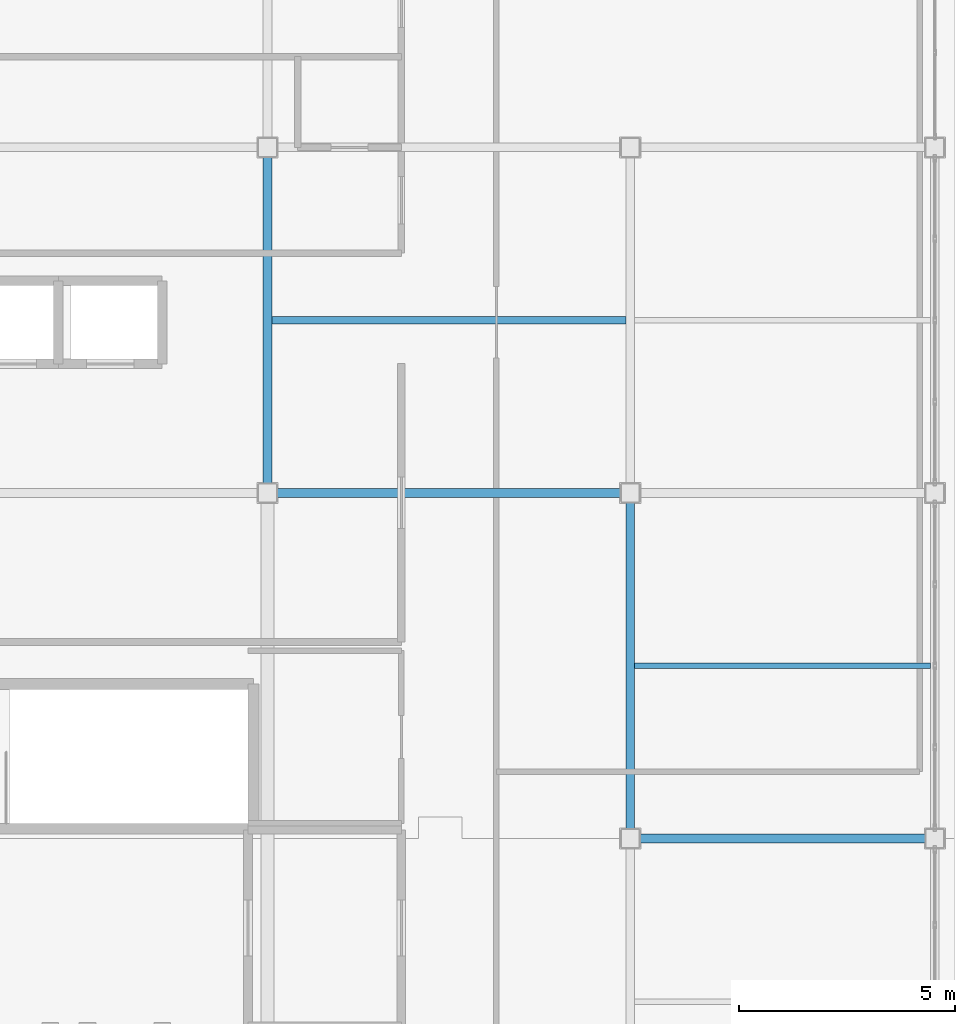
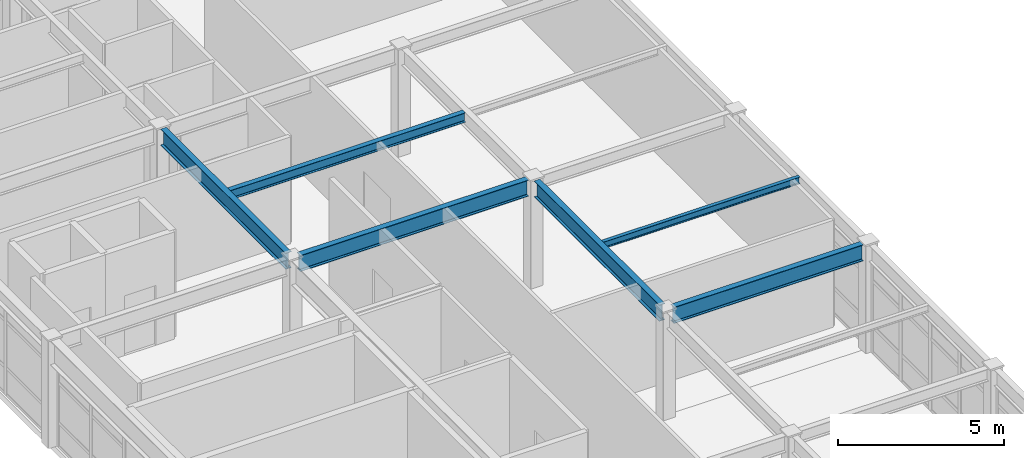
# One storey, part 19 of 34: 6 beams.
"""IFC4 building model written with IfcOpenShell, lengths in metres."""

import ifcopenshell
import ifcopenshell.guid

model = None  # the IFC model being written
_history = None  # IfcOwnerHistory: only IFC2X3 demands one
_inside = {}  # id of a spatial element -> (the spatial element, [elements in it])
_under = {}  # id of a project, library or spatial element -> (it, [spatial elements below it])
_declared = {}  # id of a project -> (the project, [libraries it declares])
_typed = {}  # id of a type object -> (the type object, [elements of that type])
_made_of = {}  # id of a material, layer set ... -> (it, [elements and type objects made of it])


def new_model(schema):
    """Start an empty IFC model of exactly this schema.

    Asked for "IFC4X3", IfcOpenShell would pick the latest addendum, in which some entities
    have other attributes; the version numbers below select the first issue.
    IFC2X3 requires an IfcOwnerHistory on every rooted entity: one is made here for all.
    """
    global model, _history
    if schema == "IFC4X3":
        model = ifcopenshell.file(schema_version=(4, 3, 0, 0))
    else:
        model = ifcopenshell.file(schema=schema)
    _inside.clear()
    _under.clear()
    _declared.clear()
    _typed.clear()
    _made_of.clear()
    _history = None
    if model.schema == "IFC2X3":
        org = make("IfcOrganization", Name="unknown")
        user = make(
            "IfcPersonAndOrganization",
            ThePerson=make("IfcPerson", FamilyName="unknown"),
            TheOrganization=org,
        )
        app = make(
            "IfcApplication",
            ApplicationDeveloper=org,
            Version="unknown",
            ApplicationFullName="unknown",
            ApplicationIdentifier="unknown",
        )
        _history = make(
            "IfcOwnerHistory",
            OwningUser=user,
            OwningApplication=app,
            ChangeAction="ADDED",
            CreationDate=0,
        )
    return model


def make(cls, **values):
    """One entity of the class cls with the attributes given. An attribute that is None is left unset."""
    return model.create_entity(
        cls, **{name: value for name, value in values.items() if value is not None}
    )


def rooted(cls, **values):
    """An entity with a GlobalId (a new one), such as an element, a storey or a relation."""
    return make(cls, GlobalId=ifcopenshell.guid.new(), OwnerHistory=_history, **values)


def si_unit(unit_type, name, prefix=None):
    """IfcSIUnit, for example si_unit("LENGTHUNIT", "METRE", prefix="MILLI")."""
    return make("IfcSIUnit", UnitType=unit_type, Prefix=prefix, Name=name)


def assignment(units):
    """IfcUnitAssignment: the units of a project."""
    return None if units is None else make("IfcUnitAssignment", Units=units)


def point(xyz):
    """IfcCartesianPoint."""
    return None if xyz is None else make("IfcCartesianPoint", Coordinates=xyz)


def direction(xyz):
    """IfcDirection."""
    return None if xyz is None else make("IfcDirection", DirectionRatios=xyz)


def frame(location, z_axis=None, x_axis=None):
    """IfcAxis2Placement3D, a coordinate frame: its origin and axes. An axis left out is left unset."""
    return make(
        "IfcAxis2Placement3D",
        Location=point(location),
        Axis=direction(z_axis),
        RefDirection=direction(x_axis),
    )


def frame_2d(location, x_axis=None):
    """IfcAxis2Placement2D, a coordinate frame in the plane: its origin and x axis."""
    return make(
        "IfcAxis2Placement2D", Location=point(location), RefDirection=direction(x_axis)
    )


def origin():
    """The frame at (0, 0, 0) with its axes left unset."""
    return frame((0.0, 0.0, 0.0))


def origin_2d():
    """The frame at (0, 0) in the plane with its x axis left unset."""
    return frame_2d((0.0, 0.0))


def place(relative_to, where):
    """IfcLocalPlacement: puts the frame where relative to a parent placement (None: the world)."""
    return make(
        "IfcLocalPlacement", PlacementRelTo=relative_to, RelativePlacement=where
    )


def context(
    kind, dimensions, precision=None, world=None, true_north=None, identifier=None
):
    """IfcGeometricRepresentationContext, for example the 3D "Model" context."""
    return make(
        "IfcGeometricRepresentationContext",
        ContextIdentifier=identifier,
        ContextType=kind,
        CoordinateSpaceDimension=dimensions,
        Precision=precision,
        WorldCoordinateSystem=world,
        TrueNorth=true_north,
    )


def subcontext(parent, identifier, kind, view, scale=None):
    """IfcGeometricRepresentationSubContext, for example "Body" below "Model"."""
    return make(
        "IfcGeometricRepresentationSubContext",
        ContextIdentifier=identifier,
        ContextType=kind,
        ParentContext=parent,
        TargetScale=scale,
        TargetView=view,
    )


def project(units=None, contexts=None):
    """IfcProject with its units and contexts."""
    return rooted(
        "IfcProject",
        Name="project",
        RepresentationContexts=contexts,
        UnitsInContext=assignment(units),
    )


def spatial(cls, under=None, at=None, **own):
    """A site, building, storey or space (cls), placed at a placement, below another one or the project."""
    s = rooted(cls, ObjectPlacement=at, **own)
    if under is not None:
        _under.setdefault(under.id(), (under, []))[1].append(s)
    return s


def profile(cls, at=None, kind="AREA", **sizes):
    """A parametric profile (cls). Its sizes go by their IFC names, for example OverallWidth=200.0."""
    return make(cls, ProfileType=kind, Position=at, **sizes)


def i_section(**sizes):
    """IfcIShapeProfileDef."""
    return profile("IfcIShapeProfileDef", **sizes)


def extrude(swept, where, along, depth):
    """IfcExtrudedAreaSolid: the profile swept, set in the frame where, extruded along a direction by depth."""
    return make(
        "IfcExtrudedAreaSolid",
        SweptArea=swept,
        Position=where,
        ExtrudedDirection=direction(along),
        Depth=depth,
    )


def shape(context_of_items, identifier, shape_type, items):
    """IfcShapeRepresentation: the items that make up one representation, for example the "Body"."""
    return make(
        "IfcShapeRepresentation",
        ContextOfItems=context_of_items,
        RepresentationIdentifier=identifier,
        RepresentationType=shape_type,
        Items=items,
    )


def material(Name=None, Category=None):
    """IfcMaterial."""
    return make("IfcMaterial", Name=Name, Category=Category)


def material_profile(
    of_material, cross_section, Name=None, Category=None, Priority=None
):
    """IfcMaterialProfile: a cross section and its material."""
    return make(
        "IfcMaterialProfile",
        Name=Name,
        Material=of_material,
        Profile=cross_section,
        Priority=Priority,
        Category=Category,
    )


def profile_set(profiles, Name=None, composite=None):
    """IfcMaterialProfileSet."""
    return make(
        "IfcMaterialProfileSet",
        Name=Name,
        MaterialProfiles=profiles,
        CompositeProfile=composite,
    )


def made_of(thing, what):
    """Note that an element or type object is made of a material, layer set ...; save() writes the relation."""
    if what is not None:
        _made_of.setdefault(what.id(), (what, []))[1].append(thing)
    return thing


def type_object(cls, material=None, **own):
    """A type object (cls), such as IfcWallType, which elements share."""
    return made_of(rooted(cls, **own), material)


def element(
    cls,
    number,
    at=None,
    inside=None,
    cuts=None,
    type_object=None,
    material=None,
    context=None,
    identifier="Body",
    shape_type=None,
    held_by="IfcProductDefinitionShape",
    body=None,
    shapes=None,
    **own,
):
    """One element of the class cls, such as IfcWall. Its Tag is "e" and its number.

    at: its placement. inside: the storey or other place that contains it. cuts: it is an
    opening in that element (IfcRelVoidsElement). A single representation is given by context,
    identifier, shape_type and body (its items); several are given by shapes. held_by: the class
    of the entity that holds the representations. save() writes the other relations.
    """
    e = rooted(cls, Tag="e%d" % number, ObjectPlacement=at, **own)
    if body is not None:
        shapes = [shape(context, identifier, shape_type, body)]
    if shapes is not None:
        e.Representation = make(held_by, Representations=shapes)
    if inside is not None:
        _inside.setdefault(inside.id(), (inside, []))[1].append(e)
    if cuts is not None:
        rooted(
            "IfcRelVoidsElement", RelatingBuildingElement=cuts, RelatedOpeningElement=e
        )
    if type_object is not None:
        _typed.setdefault(type_object.id(), (type_object, []))[1].append(e)
    return made_of(e, material)


def aggregate(whole, parts):
    """IfcRelAggregates: a whole, such as a stair, and the parts it consists of."""
    return rooted("IfcRelAggregates", RelatingObject=whole, RelatedObjects=parts)


def save(model, path):
    """Write the relations noted so far, then the file.

    IfcRelAggregates (storeys below a building ...), IfcRelContainedInSpatialStructure (elements
    in a storey), IfcRelDefinesByType, IfcRelAssociatesMaterial and IfcRelDeclares: one each for
    every whole, place, type object, material and project.
    """
    for whole, parts in _under.values():
        aggregate(whole, parts)
    for where, things in _inside.values():
        rooted(
            "IfcRelContainedInSpatialStructure",
            RelatedElements=things,
            RelatingStructure=where,
        )
    for kind, things in _typed.values():
        rooted("IfcRelDefinesByType", RelatedObjects=things, RelatingType=kind)
    for what, things in _made_of.values():
        rooted("IfcRelAssociatesMaterial", RelatedObjects=things, RelatingMaterial=what)
    for by, libraries in _declared.values():
        rooted("IfcRelDeclares", RelatingContext=by, RelatedDefinitions=libraries)
    model.write(path)


model = new_model("IFC4")

# Units and contexts
model_context = context("Model", 3, precision=1e-05, world=origin(), true_north=direction((0.0, 1.0)))
body_context = subcontext(model_context, "Body", "Model", "MODEL_VIEW")
ifc_project = project(units=[si_unit("LENGTHUNIT", "METRE"), si_unit("AREAUNIT", "SQUARE_METRE"), si_unit("VOLUMEUNIT", "CUBIC_METRE"), si_unit("PLANEANGLEUNIT", "RADIAN"), si_unit("MASSUNIT", "GRAM", prefix="KILO")], contexts=[model_context])

# Site, building, storey
site_placement = place(None, origin())
site = spatial("IfcSite", under=ifc_project, at=site_placement, CompositionType="ELEMENT")
building_placement = place(site_placement, origin())
building = spatial("IfcBuilding", under=site, at=building_placement, Name="Kazehara Bluff Congress Hotel", CompositionType="ELEMENT")
storey_placement = place(building_placement, frame((0.0, 0.0, 46.199951171875)))
storey = spatial("IfcBuildingStorey", under=building, at=storey_placement, Name="L11", CompositionType="ELEMENT", Elevation=46.199951171875)

# Beams
ifc_material_1 = material(Name="Steel SN490B", Category="steel")
ifc_material_profile_1 = material_profile(ifc_material_1, i_section(OverallWidth=0.199951171875, OverallDepth=0.60009765625, WebThickness=0.010986328125, FlangeThickness=0.01708984375, FilletRadius=0.012939453125, at=origin_2d()))
ifc_profile_set_1 = profile_set([ifc_material_profile_1], Name="Steel SN490B")
beam_type_1 = type_object("IfcBeamType", Name="TP-G-02", PredefinedType="BEAM", material=ifc_profile_set_1)
for number, where, z_axis, x_axis, name in (
    (1, (152.10009765625, 56.675048828125, 3.650146484375), (0.0, 1.0, 0.0), (-1.0, 0.0, 0.0), "L11 girder G-02 12"),
    (2, (160.5, 48.675048828125, 3.650146484375), (0.0, 1.0, 0.0), (-1.0, 0.0, 0.0), "L11 girder G-02 18"),
):
    element("IfcBeam", number, at=place(storey_placement, frame(where, z_axis=z_axis, x_axis=x_axis)), inside=storey, type_object=beam_type_1, Name=name, PredefinedType="BEAM", context=body_context, shape_type="SweptSolid", body=[
        extrude(i_section(OverallWidth=0.199951171875, OverallDepth=0.60009765625, WebThickness=0.010986328125, FlangeThickness=0.01708984375, FilletRadius=0.012939453125, at=origin_2d()), origin(), (0.0, 0.0, 1.0), 7.550048828125),
    ])
beam_1_placement = place(storey_placement, frame((152.324951171875, 56.449951171875, 3.650146484375), z_axis=(1.0, 0.0, 0.0), x_axis=(0.0, 1.0, 0.0)))
element("IfcBeam", 3, at=beam_1_placement, inside=storey, type_object=beam_type_1, Name="L11 girder G-02 39", PredefinedType="BEAM", context=body_context, shape_type="SweptSolid", body=[
    extrude(i_section(OverallWidth=0.199951171875, OverallDepth=0.60009765625, WebThickness=0.010986328125, FlangeThickness=0.01708984375, FilletRadius=0.012939453125, at=origin_2d()), origin(), (0.0, 0.0, 1.0), 7.949951171875),
])
ifc_material_2 = material(Name="Steel SN400B", Category="steel")
ifc_material_profile_2 = material_profile(ifc_material_2, i_section(OverallWidth=0.175048828125, OverallDepth=0.35009765625, WebThickness=0.007080078125, FlangeThickness=0.010986328125, FilletRadius=0.012939453125, at=origin_2d()))
ifc_profile_set_2 = profile_set([ifc_material_profile_2], Name="Steel SN400B")
beam_type_2 = type_object("IfcBeamType", Name="TP-J-02", PredefinedType="JOIST", material=ifc_profile_set_2)
beam_2_placement = place(storey_placement, frame((152.199951171875, 60.449951171875, 3.775146484375), z_axis=(1.0, 0.0, 0.0), x_axis=(0.0, 1.0, 0.0)))
element("IfcBeam", 4, at=beam_2_placement, inside=storey, type_object=beam_type_2, Name="L11 secondary joist J-02 7", PredefinedType="JOIST", context=body_context, shape_type="SweptSolid", body=[
    extrude(i_section(OverallWidth=0.175048828125, OverallDepth=0.35009765625, WebThickness=0.007080078125, FlangeThickness=0.010986328125, FilletRadius=0.012939453125, at=origin_2d()), origin(), (0.0, 0.0, 1.0), 8.199951171875),
])
ifc_material_3 = material(Name="Steel SN400B", Category="steel")
ifc_material_profile_3 = material_profile(ifc_material_3, i_section(OverallWidth=0.125, OverallDepth=0.25, WebThickness=0.006103515625, FlangeThickness=0.009033203125, FilletRadius=0.008056640625, at=origin_2d()))
ifc_profile_set_3 = profile_set([ifc_material_profile_3], Name="Steel SN400B")
beam_type_3 = type_object("IfcBeamType", Name="TP-J-05", PredefinedType="JOIST", material=ifc_profile_set_3)
beam_3_placement = place(storey_placement, frame((160.60009765625, 52.449951171875, 3.824951171875), z_axis=(1.0, 0.0, 0.0), x_axis=(0.0, 1.0, 0.0)))
element("IfcBeam", 5, at=beam_3_placement, inside=storey, type_object=beam_type_3, Name="L11 secondary joist J-05 11", PredefinedType="JOIST", context=body_context, shape_type="SweptSolid", body=[
    extrude(i_section(OverallWidth=0.125, OverallDepth=0.25, WebThickness=0.006103515625, FlangeThickness=0.009033203125, FilletRadius=0.008056640625, at=origin_2d()), origin(), (0.0, 0.0, 1.0), 6.849853515625),
])
ifc_material_4 = material(Name="Steel SN490B", Category="steel")
ifc_material_profile_4 = material_profile(ifc_material_4, i_section(OverallWidth=0.199951171875, OverallDepth=0.60009765625, WebThickness=0.010986328125, FlangeThickness=0.01708984375, FilletRadius=0.012939453125, at=origin_2d()))
ifc_profile_set_4 = profile_set([ifc_material_profile_4], Name="Steel SN490B")
beam_type_4 = type_object("IfcBeamType", Name="TP-SP-02", PredefinedType="SPANDREL", material=ifc_profile_set_4)
beam_4_placement = place(storey_placement, frame((160.72509765625, 48.449951171875, 3.650146484375), z_axis=(1.0, 0.0, 0.0), x_axis=(0.0, 1.0, 0.0)))
element("IfcBeam", 6, at=beam_4_placement, inside=storey, type_object=beam_type_4, Name="L11 girder SP-02 37", PredefinedType="SPANDREL", context=body_context, shape_type="SweptSolid", body=[
    extrude(i_section(OverallWidth=0.199951171875, OverallDepth=0.60009765625, WebThickness=0.010986328125, FlangeThickness=0.01708984375, FilletRadius=0.012939453125, at=origin_2d()), origin(), (0.0, 0.0, 1.0), 6.599853515625),
])

save(model, "model.ifc")
